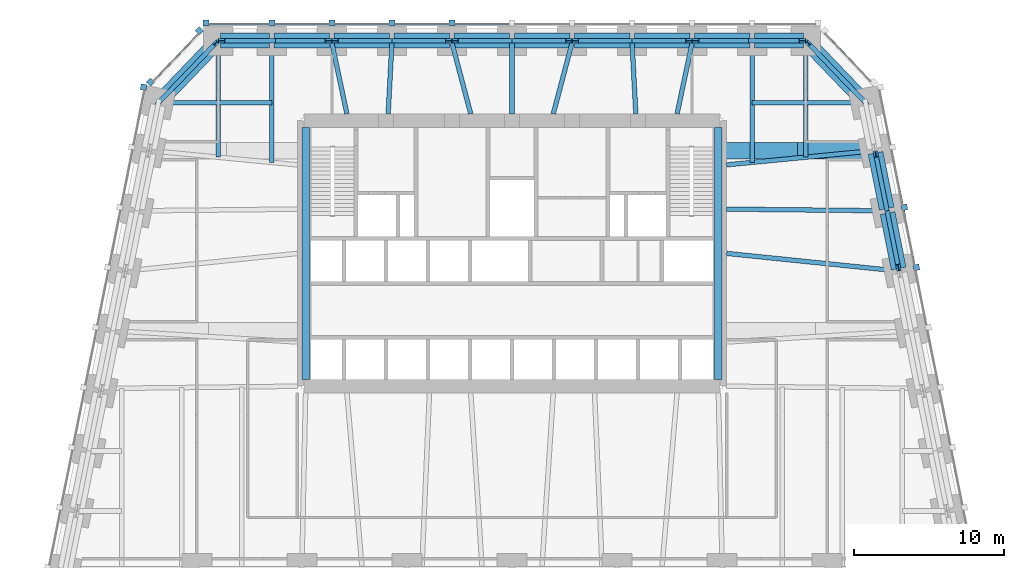
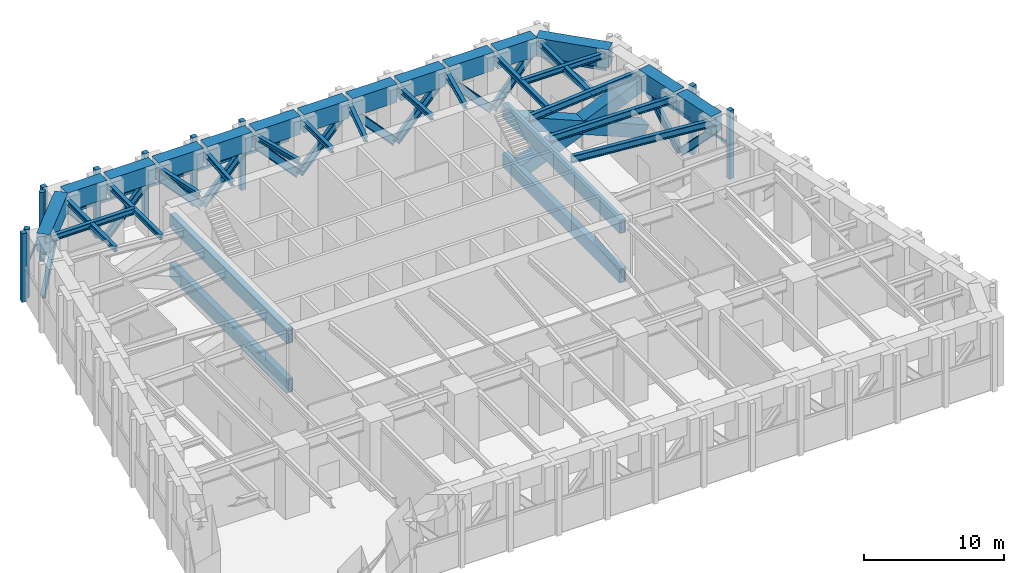
# One storey, part 4 of 9: 35 members, 34 beams, 5 elements without a shape of their own.
"""IFC4 building model written with IfcOpenShell, lengths in metres."""

from ifc_helpers import new_model, si_unit, direction, frame, origin, origin_2d, place, context, subcontext, project, spatial, rectangle, hollow_rectangle, i_section, extrude, material, material_profile, profile_set, type_object, element, aggregate, save


model = new_model("IFC4")

# Units and contexts
model_context = context("Model", 3, precision=1e-05, world=origin(), true_north=direction((0.0, 1.0)))
body_context = subcontext(model_context, "Body", "Model", "MODEL_VIEW")
ifc_project = project(units=[si_unit("LENGTHUNIT", "METRE"), si_unit("AREAUNIT", "SQUARE_METRE"), si_unit("VOLUMEUNIT", "CUBIC_METRE"), si_unit("PLANEANGLEUNIT", "RADIAN"), si_unit("MASSUNIT", "GRAM", prefix="KILO")], contexts=[model_context])

# Site, building, storey
site_placement = place(None, origin())
site = spatial("IfcSite", under=ifc_project, at=site_placement, CompositionType="ELEMENT")
building_placement = place(site_placement, origin())
building = spatial("IfcBuilding", under=site, at=building_placement, Name="Isbrekke Arena Tower", CompositionType="ELEMENT")
storey_placement = place(building_placement, frame((0.0, 0.0, 92.0)))
storey = spatial("IfcBuildingStorey", under=building, at=storey_placement, Name="L20", CompositionType="ELEMENT", Elevation=92.0)

# Beams
ifc_material_1 = material(Name="Steel S355", Category="steel")
ifc_material_profile_1 = material_profile(ifc_material_1, i_section(OverallWidth=0.304931640625, OverallDepth=0.6201171875, WebThickness=0.02099609375, FlangeThickness=0.0400390625, FilletRadius=0.027099609375, at=origin_2d()), Name="HEM 600")
ifc_profile_set_1 = profile_set([ifc_material_profile_1], Name="Steel S355")
beam_type_1 = type_object("IfcBeamType", Name="B4 HEM 600", PredefinedType="BEAM", material=ifc_profile_set_1)
beam_1_placement = place(storey_placement, frame((25.62548828125, 13.83984375, 5.489990234375), z_axis=(-0.99479415533, 0.10190480127, 0.0), x_axis=(-0.10190480127, -0.99479415533, 0.0)))
element("IfcBeam", 1, at=beam_1_placement, inside=storey, type_object=beam_type_1, Name="B4 beam E-E08 L20", PredefinedType="BEAM", context=body_context, shape_type="SweptSolid", body=[
    extrude(i_section(OverallWidth=0.304931640625, OverallDepth=0.6201171875, WebThickness=0.02099609375, FlangeThickness=0.0400390625, FilletRadius=0.027099609375, at=origin_2d()), origin(), (0.0, 0.0, 1.0), 11.384765625),
])
beam_2_placement = place(storey_placement, frame((24.83935546875, 17.838134765625, 5.489990234375), z_axis=(-0.999943724376, 0.010608868071, 0.0), x_axis=(-0.010608868071, -0.999943724376, 0.0)))
element("IfcBeam", 2, at=beam_2_placement, inside=storey, type_object=beam_type_1, Name="B4 beam E-E09 L20", PredefinedType="BEAM", context=body_context, shape_type="SweptSolid", body=[
    extrude(i_section(OverallWidth=0.304931640625, OverallDepth=0.6201171875, WebThickness=0.02099609375, FlangeThickness=0.0400390625, FilletRadius=0.027099609375, at=origin_2d()), origin(), (0.0, 0.0, 1.0), 10.539794921875),
])
beam_3_placement = place(storey_placement, frame((24.0263671875, 21.8369140625, 5.489990234375), z_axis=(-0.995391571349, -0.095893793791, 0.0), x_axis=(0.095893793791, -0.995391571349, 0.0)))
element("IfcBeam", 3, at=beam_3_placement, inside=storey, type_object=beam_type_1, Name="B4 beam E-E10 L20", PredefinedType="BEAM", context=body_context, shape_type="SweptSolid", body=[
    extrude(i_section(OverallWidth=0.304931640625, OverallDepth=0.6201171875, WebThickness=0.02099609375, FlangeThickness=0.0400390625, FilletRadius=0.027099609375, at=origin_2d()), origin(), (0.0, 0.0, 1.0), 9.771240234375),
])
ifc_material_2 = material(Name="Steel S355", Category="steel")
ifc_material_profile_2 = material_profile(ifc_material_2, i_section(OverallWidth=0.305908203125, OverallDepth=0.52392578125, WebThickness=0.02099609375, FlangeThickness=0.0400390625, FilletRadius=0.027099609375, at=origin_2d()), Name="HEM 500")
ifc_profile_set_2 = profile_set([ifc_material_profile_2], Name="Steel S355")
beam_type_2 = type_object("IfcBeamType", Name="B5 HEM 500", PredefinedType="BEAM", material=ifc_profile_set_2)
for number, where, z_axis, x_axis, name in (
    (4, (23.40283203125, 25.029296875, 5.5380859375), (-1.0, 0.0, 0.0), (0.0, -1.0, 0.0), "B5 beam E-E11 L20"),
    (5, (-23.40283203125, 25.029296875, 5.5380859375), (1.0, 0.0, 0.0), (0.0, 1.0, 0.0), "B5 beam E-W01 L20"),
):
    element("IfcBeam", number, at=place(storey_placement, frame(where, z_axis=z_axis, x_axis=x_axis)), inside=storey, type_object=beam_type_2, Name=name, PredefinedType="BEAM", context=body_context, shape_type="SweptSolid", body=[
        extrude(i_section(OverallWidth=0.305908203125, OverallDepth=0.52392578125, WebThickness=0.02099609375, FlangeThickness=0.0400390625, FilletRadius=0.027099609375, at=origin_2d()), origin(), (0.0, 0.0, 1.0), 7.40283203125),
    ])
ifc_material_3 = material(Name="Steel S355", Category="steel")
ifc_material_profile_3 = material_profile(ifc_material_3, i_section(OverallWidth=0.306884765625, OverallDepth=0.431884765625, WebThickness=0.02099609375, FlangeThickness=0.0400390625, FilletRadius=0.027099609375, at=origin_2d()), Name="HEM 400")
ifc_profile_set_3 = profile_set([ifc_material_profile_3], Name="Steel S355")
beam_type_3 = type_object("IfcBeamType", Name="B6 HEM 400", PredefinedType="BEAM", material=ifc_profile_set_3)
beam_4_placement = place(storey_placement, frame((19.574951171875, 29.02490234375, 5.583984375), z_axis=(0.0, -1.0, 0.0), x_axis=(1.0, 0.0, 0.0)))
element("IfcBeam", 6, at=beam_4_placement, inside=storey, type_object=beam_type_3, Name="B6 beam N-N01 L20", PredefinedType="BEAM", context=body_context, shape_type="SweptSolid", body=[
    extrude(i_section(OverallWidth=0.306884765625, OverallDepth=0.431884765625, WebThickness=0.02099609375, FlangeThickness=0.0400390625, FilletRadius=0.027099609375, at=origin_2d()), origin(), (0.0, 0.0, 1.0), 7.616943359375),
])
for number, where, z_axis, x_axis, name in (
    (7, (16.0, 29.02490234375, 5.583984375), (0.0, -1.0, 0.0), (1.0, 0.0, 0.0), "B6 beam N-N02 L20"),
    (8, (-16.0, 29.02490234375, 5.583984375), (0.0, -1.0, 0.0), (1.0, 0.0, 0.0), "B6 beam N-N10 L20"),
):
    element("IfcBeam", number, at=place(storey_placement, frame(where, z_axis=z_axis, x_axis=x_axis)), inside=storey, type_object=beam_type_3, Name=name, PredefinedType="BEAM", context=body_context, shape_type="SweptSolid", body=[
        extrude(i_section(OverallWidth=0.306884765625, OverallDepth=0.431884765625, WebThickness=0.02099609375, FlangeThickness=0.0400390625, FilletRadius=0.027099609375, at=origin_2d()), origin(), (0.0, 0.0, 1.0), 7.961181640625),
    ])
beam_5_placement = place(storey_placement, frame((-19.574951171875, 29.02490234375, 5.583984375), z_axis=(0.0, -1.0, 0.0), x_axis=(1.0, 0.0, 0.0)))
element("IfcBeam", 9, at=beam_5_placement, inside=storey, type_object=beam_type_3, Name="B6 beam N-N11 L20", PredefinedType="BEAM", context=body_context, shape_type="SweptSolid", body=[
    extrude(i_section(OverallWidth=0.306884765625, OverallDepth=0.431884765625, WebThickness=0.02099609375, FlangeThickness=0.0400390625, FilletRadius=0.027099609375, at=origin_2d()), origin(), (0.0, 0.0, 1.0), 7.616943359375),
])
beam_6_placement = place(storey_placement, frame((11.993408203125, 28.993896484375, 5.583984375), z_axis=(-0.207054129185, -0.978329488254, 0.0), x_axis=(0.978329488254, -0.207054129185, 0.0)))
element("IfcBeam", 10, at=beam_6_placement, inside=storey, type_object=beam_type_3, Name="B6 beam N-N03 L20", PredefinedType="BEAM", context=body_context, shape_type="SweptSolid", body=[
    extrude(i_section(OverallWidth=0.306884765625, OverallDepth=0.431884765625, WebThickness=0.02099609375, FlangeThickness=0.0400390625, FilletRadius=0.027099609375, at=origin_2d()), origin(), (0.0, 0.0, 1.0), 4.7978515625),
])
beam_7_placement = place(storey_placement, frame((8.00048828125, 29.016845703125, 5.583984375), z_axis=(0.05282469383, -0.998603801175, 0.0), x_axis=(0.998603801175, 0.05282469383, 0.0)))
element("IfcBeam", 11, at=beam_7_placement, inside=storey, type_object=beam_type_3, Name="B6 beam N-N04 L20", PredefinedType="BEAM", context=body_context, shape_type="SweptSolid", body=[
    extrude(i_section(OverallWidth=0.306884765625, OverallDepth=0.431884765625, WebThickness=0.02099609375, FlangeThickness=0.0400390625, FilletRadius=0.027099609375, at=origin_2d()), origin(), (0.0, 0.0, 1.0), 4.723388671875),
])
beam_8_placement = place(storey_placement, frame((3.989990234375, 28.987060546875, 5.583984375), z_axis=(-0.255759685638, -0.966740390799, 0.0), x_axis=(0.966740390799, -0.255759685638, 0.0)))
element("IfcBeam", 12, at=beam_8_placement, inside=storey, type_object=beam_type_3, Name="B6 beam N-N05 L20", PredefinedType="BEAM", context=body_context, shape_type="SweptSolid", body=[
    extrude(i_section(OverallWidth=0.306884765625, OverallDepth=0.431884765625, WebThickness=0.02099609375, FlangeThickness=0.0400390625, FilletRadius=0.027099609375, at=origin_2d()), origin(), (0.0, 0.0, 1.0), 4.84814453125),
])
beam_9_placement = place(storey_placement, frame((0.0, 29.02490234375, 5.583984375), z_axis=(0.0, -1.0, 0.0), x_axis=(1.0, 0.0, 0.0)))
element("IfcBeam", 13, at=beam_9_placement, inside=storey, type_object=beam_type_3, Name="B6 beam N-N06 L20", PredefinedType="BEAM", context=body_context, shape_type="SweptSolid", body=[
    extrude(i_section(OverallWidth=0.306884765625, OverallDepth=0.431884765625, WebThickness=0.02099609375, FlangeThickness=0.0400390625, FilletRadius=0.027099609375, at=origin_2d()), origin(), (0.0, 0.0, 1.0), 4.724853515625),
])
beam_10_placement = place(storey_placement, frame((-3.989990234375, 28.987060546875, 5.583984375), z_axis=(0.255759685638, -0.966740390799, 0.0), x_axis=(0.966740390799, 0.255759685638, 0.0)))
element("IfcBeam", 14, at=beam_10_placement, inside=storey, type_object=beam_type_3, Name="B6 beam N-N07 L20", PredefinedType="BEAM", context=body_context, shape_type="SweptSolid", body=[
    extrude(i_section(OverallWidth=0.306884765625, OverallDepth=0.431884765625, WebThickness=0.02099609375, FlangeThickness=0.0400390625, FilletRadius=0.027099609375, at=origin_2d()), origin(), (0.0, 0.0, 1.0), 4.84814453125),
])
beam_11_placement = place(storey_placement, frame((-8.00048828125, 29.016845703125, 5.583984375), z_axis=(-0.05282469383, -0.998603801175, 0.0), x_axis=(0.998603801175, -0.05282469383, 0.0)))
element("IfcBeam", 15, at=beam_11_placement, inside=storey, type_object=beam_type_3, Name="B6 beam N-N08 L20", PredefinedType="BEAM", context=body_context, shape_type="SweptSolid", body=[
    extrude(i_section(OverallWidth=0.306884765625, OverallDepth=0.431884765625, WebThickness=0.02099609375, FlangeThickness=0.0400390625, FilletRadius=0.027099609375, at=origin_2d()), origin(), (0.0, 0.0, 1.0), 4.723388671875),
])
beam_12_placement = place(storey_placement, frame((-11.993408203125, 28.993896484375, 5.583984375), z_axis=(0.207054129185, -0.978329488254, 0.0), x_axis=(0.978329488254, 0.207054129185, 0.0)))
element("IfcBeam", 16, at=beam_12_placement, inside=storey, type_object=beam_type_3, Name="B6 beam N-N09 L20", PredefinedType="BEAM", context=body_context, shape_type="SweptSolid", body=[
    extrude(i_section(OverallWidth=0.306884765625, OverallDepth=0.431884765625, WebThickness=0.02099609375, FlangeThickness=0.0400390625, FilletRadius=0.027099609375, at=origin_2d()), origin(), (0.0, 0.0, 1.0), 4.7978515625),
])

# Members
ifc_material_4 = material(Name="Steel S355", Category="steel")
ifc_material_profile_4 = material_profile(ifc_material_4, i_section(OverallWidth=0.304931640625, OverallDepth=0.6201171875, WebThickness=0.02099609375, FlangeThickness=0.0400390625, FilletRadius=0.027099609375, at=origin_2d()), Name="HEM 600")
ifc_profile_set_4 = profile_set([ifc_material_profile_4], Name="Steel S355")
member_type_1 = type_object("IfcMemberType", Name="BT1 HEM 600", PredefinedType="BRACE", material=ifc_profile_set_4)
for number, where, z_axis, x_axis, name in (
    (17, (25.748046875, 14.052734375, 4.66943359375), (-0.134973713861, 0.674868569303, -0.725489152734), (-0.980580675691, -0.196116135138, 0.0), "BT1 belt truss diagonal E08 L20"),
    (18, (24.990966796875, 17.838134765625, 0.60009765625), (-0.134973713861, 0.674868569303, 0.725489152734), (-0.980580675691, -0.196116135138, 0.0), "BT1 belt truss diagonal E09 L20"),
):
    element("IfcMember", number, at=place(storey_placement, frame(where, z_axis=z_axis, x_axis=x_axis)), inside=storey, type_object=member_type_1, Name=name, PredefinedType="BRACE", context=body_context, shape_type="SweptSolid", body=[
        extrude(i_section(OverallWidth=0.304931640625, OverallDepth=0.6201171875, WebThickness=0.02099609375, FlangeThickness=0.0400390625, FilletRadius=0.027099609375, at=origin_2d()), origin(), (0.0, 0.0, 1.0), 5.609130859375),
    ])
member_1_placement = place(storey_placement, frame((23.552734375, 25.029296875, 0.60009765625), z_axis=(-0.554282836037, 0.577708728276, 0.599185416168), x_axis=(-0.721585439536, -0.692325395641, 0.0)))
element("IfcMember", 19, at=member_1_placement, inside=storey, type_object=member_type_1, Name="BT1 belt truss diagonal E11 L20", PredefinedType="BRACE", context=body_context, shape_type="SweptSolid", body=[
    extrude(i_section(OverallWidth=0.304931640625, OverallDepth=0.6201171875, WebThickness=0.02099609375, FlangeThickness=0.0400390625, FilletRadius=0.027099609375, at=origin_2d()), origin(), (0.0, 0.0, 1.0), 6.888916015625),
])
member_2_placement = place(storey_placement, frame((19.361083984375, 29.175048828125, 4.642578125), z_axis=(-0.639325259452, 0.0, -0.768936416504), x_axis=(0.0, -1.0, 0.0)))
element("IfcMember", 20, at=member_2_placement, inside=storey, type_object=member_type_1, Name="BT1 belt truss diagonal N01 L20", PredefinedType="BRACE", context=body_context, shape_type="SweptSolid", body=[
    extrude(i_section(OverallWidth=0.304931640625, OverallDepth=0.6201171875, WebThickness=0.02099609375, FlangeThickness=0.0400390625, FilletRadius=0.027099609375, at=origin_2d()), origin(), (0.0, 0.0, 1.0), 5.25732421875),
])
for number, where, z_axis, x_axis, name in (
    (21, (16.0, 29.175048828125, 0.60009765625), (-0.681122032107, 0.0, 0.732169910183), (0.0, -1.0, 0.0), "BT1 belt truss diagonal N02 L20"),
    (22, (11.781982421875, 29.175048828125, 4.66552734375), (-0.681122032107, 0.0, -0.732169910183), (0.0, -1.0, 0.0), "BT1 belt truss diagonal N03 L20"),
    (23, (8.0, 29.175048828125, 0.60009765625), (-0.681122032107, 0.0, 0.732169910183), (0.0, -1.0, 0.0), "BT1 belt truss diagonal N04 L20"),
    (24, (3.781982421875, 29.175048828125, 4.66552734375), (-0.681122032107, 0.0, -0.732169910183), (0.0, -1.0, 0.0), "BT1 belt truss diagonal N05 L20"),
    (25, (0.0, 29.175048828125, 0.60009765625), (-0.681122032107, 0.0, 0.732169910183), (0.0, -1.0, 0.0), "BT1 belt truss diagonal N06 L20"),
    (26, (-4.218017578125, 29.175048828125, 4.66552734375), (-0.681122032107, 0.0, -0.732169910183), (0.0, -1.0, 0.0), "BT1 belt truss diagonal N07 L20"),
    (27, (-8.0, 29.175048828125, 0.60009765625), (-0.681122032107, 0.0, 0.732169910183), (0.0, -1.0, 0.0), "BT1 belt truss diagonal N08 L20"),
    (28, (-12.218017578125, 29.175048828125, 4.66552734375), (-0.681122032107, 0.0, -0.732169910183), (0.0, -1.0, 0.0), "BT1 belt truss diagonal N09 L20"),
):
    element("IfcMember", number, at=place(storey_placement, frame(where, z_axis=z_axis, x_axis=x_axis)), inside=storey, type_object=member_type_1, Name=name, PredefinedType="BRACE", context=body_context, shape_type="SweptSolid", body=[
        extrude(i_section(OverallWidth=0.304931640625, OverallDepth=0.6201171875, WebThickness=0.02099609375, FlangeThickness=0.0400390625, FilletRadius=0.027099609375, at=origin_2d()), origin(), (0.0, 0.0, 1.0), 5.552490234375),
    ])
member_3_placement = place(storey_placement, frame((-16.0, 29.175048828125, 0.60009765625), z_axis=(-0.639325259452, 0.0, 0.768936416504), x_axis=(0.0, -1.0, 0.0)))
element("IfcMember", 29, at=member_3_placement, inside=storey, type_object=member_type_1, Name="BT1 belt truss diagonal N10 L20", PredefinedType="BRACE", context=body_context, shape_type="SweptSolid", body=[
    extrude(i_section(OverallWidth=0.304931640625, OverallDepth=0.6201171875, WebThickness=0.02099609375, FlangeThickness=0.0400390625, FilletRadius=0.027099609375, at=origin_2d()), origin(), (0.0, 0.0, 1.0), 5.25732421875),
])
member_4_placement = place(storey_placement, frame((-19.734375, 29.009033203125, 4.727783203125), z_axis=(-0.554282836037, -0.577708728276, -0.599185416168), x_axis=(0.721585439536, -0.692325395641, 0.0)))
element("IfcMember", 30, at=member_4_placement, inside=storey, type_object=member_type_1, Name="BT1 belt truss diagonal N11 L20", PredefinedType="BRACE", context=body_context, shape_type="SweptSolid", body=[
    extrude(i_section(OverallWidth=0.304931640625, OverallDepth=0.6201171875, WebThickness=0.02099609375, FlangeThickness=0.0400390625, FilletRadius=0.027099609375, at=origin_2d()), origin(), (0.0, 0.0, 1.0), 6.888916015625),
])

# Curtain wall, members
ifc_material_5 = material(Name="Glazed aluminium curtain wall", Category="aluminium")
curtain_wall_type = type_object("IfcCurtainWallType", Name="CWR PLANT LOUVRE WALL", PredefinedType="USERDEFINED", material=ifc_material_5)
curtain_wall_1_placement = place(storey_placement, origin())
curtain_wall_1 = element("IfcCurtainWall", 31, at=curtain_wall_1_placement, inside=storey, type_object=curtain_wall_type, Name="CWR curtain wall L20-E", ObjectType="PLANT LOUVRE WALL", PredefinedType="USERDEFINED")
ifc_material_6 = material(Name="Aluminium mullion, pale brick slip cladding", Category="masonry")
ifc_material_profile_5 = material_profile(ifc_material_6, rectangle(XDim=0.39990234375, YDim=0.39990234375, at=origin_2d()), Name="PIER 400X400")
ifc_profile_set_5 = profile_set([ifc_material_profile_5], Name="Aluminium mullion, pale brick slip cladding")
member_type_2 = type_object("IfcMemberType", Name="CWR-M PIER MULLION 400 x 400", PredefinedType="MULLION", material=ifc_profile_set_5)
member_5_placement = place(storey_placement, frame((26.943115234375, 14.068603515625, 0.0), z_axis=(0.0, 0.0, 1.0), x_axis=(-0.196116135138, 0.980580675691, 0.0)))
member_5 = element("IfcMember", 32, at=member_5_placement, type_object=member_type_2, Name="CWR-M mullion 8", PredefinedType="MULLION", context=body_context, shape_type="SweptSolid", body=[
    extrude(rectangle(XDim=0.39990234375, YDim=0.39990234375, at=origin_2d()), origin(), (0.0, 0.0, 1.0), 6.0),
])
member_6_placement = place(storey_placement, frame((26.143310546875, 18.068603515625, 0.0), z_axis=(0.0, 0.0, 1.0), x_axis=(-0.196116135138, 0.980580675691, 0.0)))
member_6 = element("IfcMember", 33, at=member_6_placement, type_object=member_type_2, Name="CWR-M mullion 9", PredefinedType="MULLION", context=body_context, shape_type="SweptSolid", body=[
    extrude(rectangle(XDim=0.39990234375, YDim=0.39990234375, at=origin_2d()), origin(), (0.0, 0.0, 1.0), 6.0),
])

curtain_wall_2_placement = place(storey_placement, origin())
curtain_wall_2 = element("IfcCurtainWall", 34, at=curtain_wall_2_placement, inside=storey, type_object=curtain_wall_type, Name="CWR curtain wall L20-N", ObjectType="PLANT LOUVRE WALL", PredefinedType="USERDEFINED")
member_7_placement = place(storey_placement, frame((-4.0, 30.35009765625, 0.0), z_axis=(0.0, 0.0, 1.0), x_axis=(-1.0, 0.0, 0.0)))
member_7 = element("IfcMember", 35, at=member_7_placement, type_object=member_type_2, Name="CWR-M mullion 7", PredefinedType="MULLION", context=body_context, shape_type="SweptSolid", body=[
    extrude(rectangle(XDim=0.39990234375, YDim=0.39990234375, at=origin_2d()), origin(), (0.0, 0.0, 1.0), 6.0),
])
member_8_placement = place(storey_placement, frame((-8.0, 30.35009765625, 0.0), z_axis=(0.0, 0.0, 1.0), x_axis=(-1.0, 0.0, 0.0)))
member_8 = element("IfcMember", 36, at=member_8_placement, type_object=member_type_2, Name="CWR-M mullion 8", PredefinedType="MULLION", context=body_context, shape_type="SweptSolid", body=[
    extrude(rectangle(XDim=0.39990234375, YDim=0.39990234375, at=origin_2d()), origin(), (0.0, 0.0, 1.0), 6.0),
])
member_9_placement = place(storey_placement, frame((-12.0, 30.35009765625, 0.0), z_axis=(0.0, 0.0, 1.0), x_axis=(-1.0, 0.0, 0.0)))
member_9 = element("IfcMember", 37, at=member_9_placement, type_object=member_type_2, Name="CWR-M mullion 9", PredefinedType="MULLION", context=body_context, shape_type="SweptSolid", body=[
    extrude(rectangle(XDim=0.39990234375, YDim=0.39990234375, at=origin_2d()), origin(), (0.0, 0.0, 1.0), 6.0),
])
member_10_placement = place(storey_placement, frame((-16.0, 30.35009765625, 0.0), z_axis=(0.0, 0.0, 1.0), x_axis=(-1.0, 0.0, 0.0)))
member_10 = element("IfcMember", 38, at=member_10_placement, type_object=member_type_2, Name="CWR-M mullion 10", PredefinedType="MULLION", context=body_context, shape_type="SweptSolid", body=[
    extrude(rectangle(XDim=0.39990234375, YDim=0.39990234375, at=origin_2d()), origin(), (0.0, 0.0, 1.0), 6.0),
])
member_11_placement = place(storey_placement, frame((-20.39990234375, 30.35009765625, 0.0), z_axis=(0.0, 0.0, 1.0), x_axis=(-1.0, 0.0, 0.0)))
member_11 = element("IfcMember", 39, at=member_11_placement, type_object=member_type_2, Name="CWR-M mullion 11", PredefinedType="MULLION", context=body_context, shape_type="SweptSolid", body=[
    extrude(rectangle(XDim=0.39990234375, YDim=0.39990234375, at=origin_2d()), origin(), (0.0, 0.0, 1.0), 6.0),
])

curtain_wall_3_placement = place(storey_placement, origin())
curtain_wall_3 = element("IfcCurtainWall", 40, at=curtain_wall_3_placement, inside=storey, type_object=curtain_wall_type, Name="CWR curtain wall L20-NW", ObjectType="PLANT LOUVRE WALL", PredefinedType="USERDEFINED")
member_12_placement = place(storey_placement, frame((-20.83056640625, 29.837158203125, 0.0), z_axis=(0.0, 0.0, 1.0), x_axis=(-0.68874946192, -0.72499943359, 0.0)))
member_12 = element("IfcMember", 41, at=member_12_placement, type_object=member_type_2, Name="CWR-M mullion 1", PredefinedType="MULLION", context=body_context, shape_type="SweptSolid", body=[
    extrude(rectangle(XDim=0.39990234375, YDim=0.39990234375, at=origin_2d()), origin(), (0.0, 0.0, 1.0), 6.0),
])
member_13_placement = place(storey_placement, frame((-24.0869140625, 26.409423828125, 0.0), z_axis=(0.0, 0.0, 1.0), x_axis=(-0.68874946192, -0.72499943359, 0.0)))
member_13 = element("IfcMember", 42, at=member_13_placement, type_object=member_type_2, Name="CWR-M mullion 2", PredefinedType="MULLION", context=body_context, shape_type="SweptSolid", body=[
    extrude(rectangle(XDim=0.39990234375, YDim=0.39990234375, at=origin_2d()), origin(), (0.0, 0.0, 1.0), 6.0),
])

# Curtain wall, member
curtain_wall_4_placement = place(storey_placement, origin())
curtain_wall_4 = element("IfcCurtainWall", 43, at=curtain_wall_4_placement, inside=storey, type_object=curtain_wall_type, Name="CWR curtain wall L20-W", ObjectType="PLANT LOUVRE WALL", PredefinedType="USERDEFINED")
member_14_placement = place(storey_placement, frame((-24.543212890625, 26.068603515625, 0.0), z_axis=(0.0, 0.0, 1.0), x_axis=(-0.196116135138, -0.980580675691, 0.0)))
member_14 = element("IfcMember", 44, at=member_14_placement, type_object=member_type_2, Name="CWR-M mullion 1", PredefinedType="MULLION", context=body_context, shape_type="SweptSolid", body=[
    extrude(rectangle(XDim=0.39990234375, YDim=0.39990234375, at=origin_2d()), origin(), (0.0, 0.0, 1.0), 6.0),
])
aggregate(curtain_wall_4, [member_14])

# Member
ifc_material_7 = material(Name="Aluminium transom", Category="aluminium")
ifc_material_profile_6 = material_profile(ifc_material_7, rectangle(XDim=0.1201171875, YDim=0.199951171875, at=origin_2d()), Name="TRANSOM 120X200")
ifc_profile_set_6 = profile_set([ifc_material_profile_6], Name="Aluminium transom")
member_type_3 = type_object("IfcMemberType", Name="CWR-T TRANSOM 120 x 200", PredefinedType="USERDEFINED", material=ifc_profile_set_6)
member_15_placement = place(storey_placement, frame((26.805908203125, 14.2451171875, 3.0), z_axis=(-0.196077853487, 0.980588331244, 0.0), x_axis=(-0.980588331244, -0.196077853487, 0.0)))
member_15 = element("IfcMember", 45, at=member_15_placement, type_object=member_type_3, Name="CWR-T transom 8", ObjectType="TRANSOM", PredefinedType="USERDEFINED", context=body_context, shape_type="SweptSolid", body=[
    extrude(rectangle(XDim=0.1201171875, YDim=0.199951171875, at=origin_2d()), origin(), (0.0, 0.0, 1.0), 3.679443359375),
])

member_16_placement = place(storey_placement, frame((26.005859375, 18.2451171875, 3.0), z_axis=(-0.196077853487, 0.980588331244, 0.0), x_axis=(-0.980588331244, -0.196077853487, 0.0)))
member_16 = element("IfcMember", 46, at=member_16_placement, type_object=member_type_3, Name="CWR-T transom 9", ObjectType="TRANSOM", PredefinedType="USERDEFINED", context=body_context, shape_type="SweptSolid", body=[
    extrude(rectangle(XDim=0.1201171875, YDim=0.199951171875, at=origin_2d()), origin(), (0.0, 0.0, 1.0), 3.679443359375),
])

aggregate(curtain_wall_1, [member_5, member_6, member_15, member_16])

# Curtain wall, member
curtain_wall_5_placement = place(storey_placement, origin())
curtain_wall_5 = element("IfcCurtainWall", 47, at=curtain_wall_5_placement, inside=storey, type_object=curtain_wall_type, Name="CWR curtain wall L20-EN", ObjectType="PLANT LOUVRE WALL", PredefinedType="USERDEFINED")
member_17_placement = place(storey_placement, frame((23.877197265625, 26.485107421875, 3.0), z_axis=(-0.688771694154, 0.724978312319, 0.0), x_axis=(-0.724978312319, -0.688771694154, 0.0)))
member_17 = element("IfcMember", 48, at=member_17_placement, type_object=member_type_3, Name="CWR-T transom 1", ObjectType="TRANSOM", PredefinedType="USERDEFINED", context=body_context, shape_type="SweptSolid", body=[
    extrude(rectangle(XDim=0.1201171875, YDim=0.199951171875, at=origin_2d()), origin(), (0.0, 0.0, 1.0), 4.3291015625),
])
aggregate(curtain_wall_5, [member_17])

# Member
member_18_placement = place(storey_placement, frame((-0.199951171875, 30.25, 3.0), z_axis=(-1.0, 0.0, 0.0), x_axis=(0.0, -1.0, 0.0)))
member_18 = element("IfcMember", 49, at=member_18_placement, type_object=member_type_3, Name="CWR-T transom 6", ObjectType="TRANSOM", PredefinedType="USERDEFINED", context=body_context, shape_type="SweptSolid", body=[
    extrude(rectangle(XDim=0.1201171875, YDim=0.199951171875, at=origin_2d()), origin(), (0.0, 0.0, 1.0), 3.60009765625),
])

member_19_placement = place(storey_placement, frame((-4.199951171875, 30.25, 3.0), z_axis=(-1.0, 0.0, 0.0), x_axis=(0.0, -1.0, 0.0)))
member_19 = element("IfcMember", 50, at=member_19_placement, type_object=member_type_3, Name="CWR-T transom 7", ObjectType="TRANSOM", PredefinedType="USERDEFINED", context=body_context, shape_type="SweptSolid", body=[
    extrude(rectangle(XDim=0.1201171875, YDim=0.199951171875, at=origin_2d()), origin(), (0.0, 0.0, 1.0), 3.60009765625),
])

member_20_placement = place(storey_placement, frame((-8.199951171875, 30.25, 3.0), z_axis=(-1.0, 0.0, 0.0), x_axis=(0.0, -1.0, 0.0)))
member_20 = element("IfcMember", 51, at=member_20_placement, type_object=member_type_3, Name="CWR-T transom 8", ObjectType="TRANSOM", PredefinedType="USERDEFINED", context=body_context, shape_type="SweptSolid", body=[
    extrude(rectangle(XDim=0.1201171875, YDim=0.199951171875, at=origin_2d()), origin(), (0.0, 0.0, 1.0), 3.60009765625),
])

member_21_placement = place(storey_placement, frame((-12.199951171875, 30.25, 3.0), z_axis=(-1.0, 0.0, 0.0), x_axis=(0.0, -1.0, 0.0)))
member_21 = element("IfcMember", 52, at=member_21_placement, type_object=member_type_3, Name="CWR-T transom 9", ObjectType="TRANSOM", PredefinedType="USERDEFINED", context=body_context, shape_type="SweptSolid", body=[
    extrude(rectangle(XDim=0.1201171875, YDim=0.199951171875, at=origin_2d()), origin(), (0.0, 0.0, 1.0), 3.60009765625),
])

member_22_placement = place(storey_placement, frame((-16.199951171875, 30.25, 3.0), z_axis=(-1.0, 0.0, 0.0), x_axis=(0.0, -1.0, 0.0)))
member_22 = element("IfcMember", 53, at=member_22_placement, type_object=member_type_3, Name="CWR-T transom 10", ObjectType="TRANSOM", PredefinedType="USERDEFINED", context=body_context, shape_type="SweptSolid", body=[
    extrude(rectangle(XDim=0.1201171875, YDim=0.199951171875, at=origin_2d()), origin(), (0.0, 0.0, 1.0), 4.0),
])

aggregate(curtain_wall_2, [member_7, member_8, member_9, member_10, member_11, member_18, member_19, member_20, member_21, member_22])

member_23_placement = place(storey_placement, frame((-20.895751953125, 29.623291015625, 3.0), z_axis=(-0.688767252013, -0.724982532586, 0.0), x_axis=(0.724982532586, -0.688767252013, 0.0)))
member_23 = element("IfcMember", 54, at=member_23_placement, type_object=member_type_3, Name="CWR-T transom 1", ObjectType="TRANSOM", PredefinedType="USERDEFINED", context=body_context, shape_type="SweptSolid", body=[
    extrude(rectangle(XDim=0.1201171875, YDim=0.199951171875, at=origin_2d()), origin(), (0.0, 0.0, 1.0), 4.327880859375),
])

aggregate(curtain_wall_3, [member_12, member_13, member_23])

# Beams
ifc_material_8 = material(Name="Steel S460", Category="steel")
ifc_material_profile_7 = material_profile(ifc_material_8, hollow_rectangle(XDim=0.5, YDim=1.199951171875, WallThickness=0.10009765625, at=origin_2d()), Name="BOX 500x1200x100")
ifc_profile_set_7 = profile_set([ifc_material_profile_7], Name="Steel S460")
beam_type_4 = type_object("IfcBeamType", Name="OC1 BOX 500x1200x100", PredefinedType="BEAM", material=ifc_profile_set_7)
for number, where, z_axis, x_axis, name in (
    (55, (13.75, 6.60009765625, 0.60009765625), (0.0, 1.0, 0.0), (-1.0, 0.0, 0.0), "OC1 outrigger cap beam E L20 1"),
    (56, (13.75, 6.60009765625, 4.89990234375), (0.0, 1.0, 0.0), (-1.0, 0.0, 0.0), "OC1 outrigger cap beam E L20 2"),
    (57, (-13.75, 6.60009765625, 0.60009765625), (0.0, 1.0, 0.0), (-1.0, 0.0, 0.0), "OC1 outrigger cap beam W L20 1"),
    (58, (-13.75, 6.60009765625, 4.89990234375), (0.0, 1.0, 0.0), (-1.0, 0.0, 0.0), "OC1 outrigger cap beam W L20 2"),
):
    element("IfcBeam", number, at=place(storey_placement, frame(where, z_axis=z_axis, x_axis=x_axis)), inside=storey, type_object=beam_type_4, Name=name, PredefinedType="BEAM", context=body_context, shape_type="SweptSolid", body=[
        extrude(hollow_rectangle(XDim=0.5, YDim=1.199951171875, WallThickness=0.10009765625, at=origin_2d()), origin(), (0.0, 0.0, 1.0), 16.79833984375),
    ])

# Members
ifc_material_9 = material(Name="Steel S460", Category="steel")
ifc_material_profile_8 = material_profile(ifc_material_9, hollow_rectangle(XDim=1.10009765625, YDim=1.10009765625, WallThickness=0.050048828125, at=origin_2d()), Name="BOX 1100x1100x50")
ifc_profile_set_8 = profile_set([ifc_material_profile_8], Name="Steel S460")
member_type_4 = type_object("IfcMemberType", Name="OT1 BOX 1100x1100x50", PredefinedType="BRACE", material=ifc_profile_set_8)
for number, where, z_axis, x_axis, name in (
    (59, (13.85009765625, 21.838134765625, 0.60009765625), (0.923357882569, 0.0, 0.383940386906), (0.0, 1.0, 0.0), "OT1 outrigger E L20 1"),
    (60, (13.85009765625, 21.838134765625, 4.89990234375), (0.923357882569, 0.0, -0.383940386906), (0.0, 1.0, 0.0), "OT1 outrigger E L20 2"),
):
    element("IfcMember", number, at=place(storey_placement, frame(where, z_axis=z_axis, x_axis=x_axis)), inside=storey, type_object=member_type_4, Name=name, PredefinedType="BRACE", context=body_context, shape_type="SweptSolid", body=[
        extrude(hollow_rectangle(XDim=1.10009765625, YDim=1.10009765625, WallThickness=0.050048828125, at=origin_2d()), origin(), (0.0, 0.0, 1.0), 11.19921875),
    ])

# Beams
ifc_material_10 = material(Name="Concrete B90 (C90/105)", Category="concrete")
ifc_material_profile_9 = material_profile(ifc_material_10, rectangle(XDim=1.0, YDim=1.60009765625, at=origin_2d()), Name="RC 1000x1600")
ifc_profile_set_9 = profile_set([ifc_material_profile_9], Name="Concrete B90 (C90/105)")
beam_type_5 = type_object("IfcBeamType", Name="SB1 RC 1000 x 1600", PredefinedType="SPANDREL", material=ifc_profile_set_9)
for number, where, z_axis, x_axis, name in (
    (61, (25.76171875, 13.9853515625, 5.199951171875), (-0.196128558387, 0.980578190959, 0.0), (-0.980578190959, -0.196128558387, 0.0), "SB1 spandrel E08-E09 L20"),
    (62, (24.961669921875, 17.9853515625, 5.199951171875), (-0.196128558387, 0.980578190959, 0.0), (-0.980578190959, -0.196128558387, 0.0), "SB1 spandrel E09-E10 L20"),
):
    element("IfcBeam", number, at=place(storey_placement, frame(where, z_axis=z_axis, x_axis=x_axis)), inside=storey, type_object=beam_type_5, Name=name, PredefinedType="SPANDREL", context=body_context, shape_type="SweptSolid", body=[
        extrude(rectangle(XDim=1.0, YDim=1.60009765625, at=origin_2d()), origin(), (0.0, 0.0, 1.0), 3.779296875),
    ])
beam_13_placement = place(storey_placement, frame((23.448974609375, 25.137451171875, 5.199951171875), z_axis=(-0.692339547635, 0.721571861134, 0.0), x_axis=(-0.721571861134, -0.692339547635, 0.0)))
element("IfcBeam", 63, at=beam_13_placement, inside=storey, type_object=beam_type_5, Name="SB1 spandrel E11-N01 L20", PredefinedType="SPANDREL", context=body_context, shape_type="SweptSolid", body=[
    extrude(rectangle(XDim=1.0, YDim=1.60009765625, at=origin_2d()), origin(), (0.0, 0.0, 1.0), 5.4453125),
])
beam_14_placement = place(storey_placement, frame((19.425048828125, 29.175048828125, 5.199951171875), z_axis=(-1.0, 0.0, 0.0), x_axis=(0.0, -1.0, 0.0)))
element("IfcBeam", 64, at=beam_14_placement, inside=storey, type_object=beam_type_5, Name="SB1 spandrel N01-N02 L20", PredefinedType="SPANDREL", context=body_context, shape_type="SweptSolid", body=[
    extrude(rectangle(XDim=1.0, YDim=1.60009765625, at=origin_2d()), origin(), (0.0, 0.0, 1.0), 3.275146484375),
])
for number, where, z_axis, x_axis, name in (
    (65, (15.85009765625, 29.175048828125, 5.199951171875), (-1.0, 0.0, 0.0), (0.0, -1.0, 0.0), "SB1 spandrel N02-N03 L20"),
    (66, (11.85009765625, 29.175048828125, 5.199951171875), (-1.0, 0.0, 0.0), (0.0, -1.0, 0.0), "SB1 spandrel N03-N04 L20"),
    (67, (7.85009765625, 29.175048828125, 5.199951171875), (-1.0, 0.0, 0.0), (0.0, -1.0, 0.0), "SB1 spandrel N04-N05 L20"),
    (68, (3.85009765625, 29.175048828125, 5.199951171875), (-1.0, 0.0, 0.0), (0.0, -1.0, 0.0), "SB1 spandrel N05-N06 L20"),
    (69, (-0.14990234375, 29.175048828125, 5.199951171875), (-1.0, 0.0, 0.0), (0.0, -1.0, 0.0), "SB1 spandrel N06-N07 L20"),
    (70, (-4.14990234375, 29.175048828125, 5.199951171875), (-1.0, 0.0, 0.0), (0.0, -1.0, 0.0), "SB1 spandrel N07-N08 L20"),
    (71, (-8.14990234375, 29.175048828125, 5.199951171875), (-1.0, 0.0, 0.0), (0.0, -1.0, 0.0), "SB1 spandrel N08-N09 L20"),
    (72, (-12.14990234375, 29.175048828125, 5.199951171875), (-1.0, 0.0, 0.0), (0.0, -1.0, 0.0), "SB1 spandrel N09-N10 L20"),
):
    element("IfcBeam", number, at=place(storey_placement, frame(where, z_axis=z_axis, x_axis=x_axis)), inside=storey, type_object=beam_type_5, Name=name, PredefinedType="SPANDREL", context=body_context, shape_type="SweptSolid", body=[
        extrude(rectangle(XDim=1.0, YDim=1.60009765625, at=origin_2d()), origin(), (0.0, 0.0, 1.0), 3.7001953125),
    ])
beam_15_placement = place(storey_placement, frame((-16.14990234375, 29.175048828125, 5.199951171875), z_axis=(-1.0, 0.0, 0.0), x_axis=(0.0, -1.0, 0.0)))
element("IfcBeam", 73, at=beam_15_placement, inside=storey, type_object=beam_type_5, Name="SB1 spandrel N10-N11 L20", PredefinedType="SPANDREL", context=body_context, shape_type="SweptSolid", body=[
    extrude(rectangle(XDim=1.0, YDim=1.60009765625, at=origin_2d()), origin(), (0.0, 0.0, 1.0), 3.275146484375),
])
beam_16_placement = place(storey_placement, frame((-19.678955078125, 29.066650390625, 5.199951171875), z_axis=(-0.692339547635, -0.721571861134, 0.0), x_axis=(0.721571861134, -0.692339547635, 0.0)))
element("IfcBeam", 74, at=beam_16_placement, inside=storey, type_object=beam_type_5, Name="SB1 spandrel N11-W01 L20", PredefinedType="SPANDREL", context=body_context, shape_type="SweptSolid", body=[
    extrude(rectangle(XDim=1.0, YDim=1.60009765625, at=origin_2d()), origin(), (0.0, 0.0, 1.0), 5.4453125),
])

save(model, "model.ifc")
